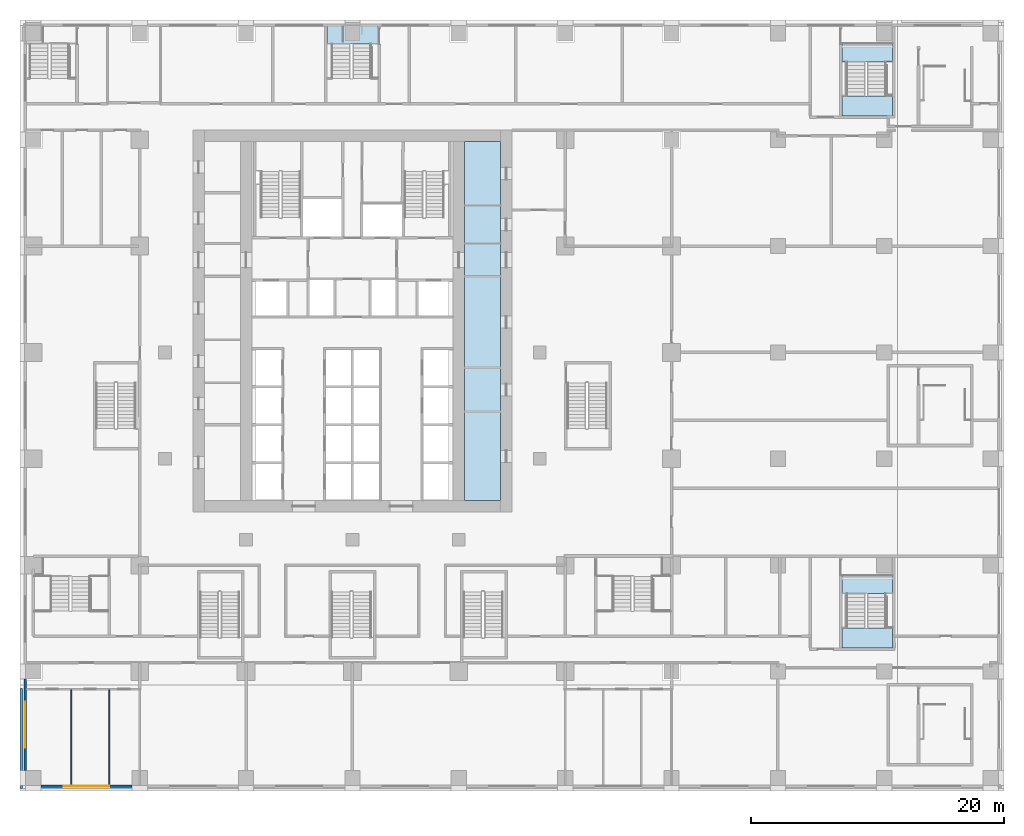
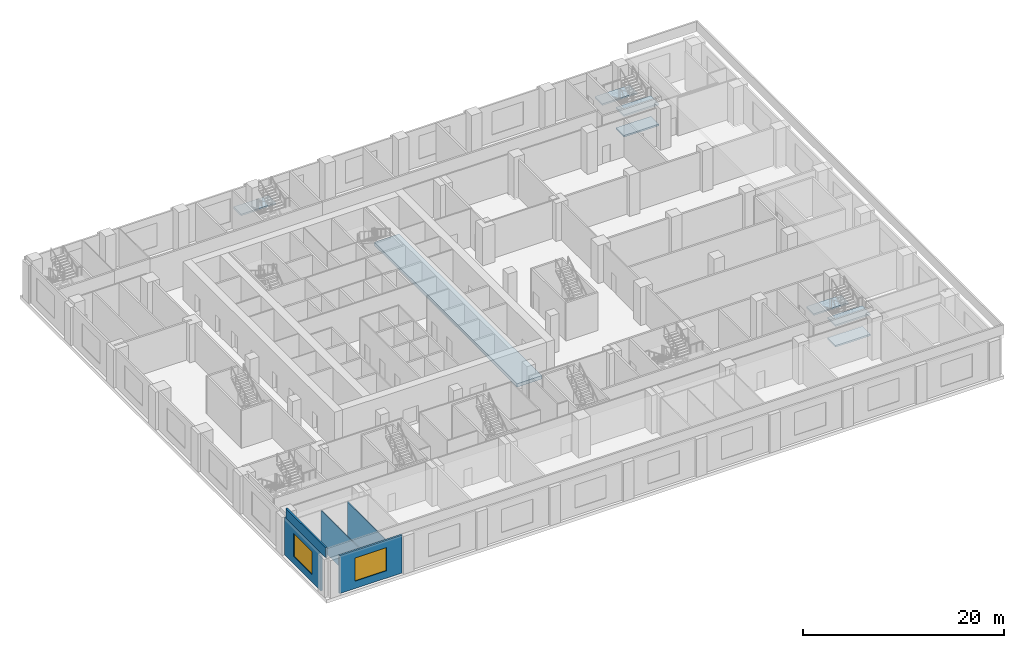
# One storey, part 3 of 23: 8 slabs, 5 walls, 2 windows, 2 openings, 3 elements without a shape of their own.
"""IFC4 building model written with IfcOpenShell, lengths in metres."""

from ifc_helpers import new_model, si_unit, direction, frame, frame_2d, origin, place, context, subcontext, project, spatial, polyline, rectangle, outline, extrude, material, layer, layer_set, type_object, element, fill, aggregate, save


model = new_model("IFC4")

# Units and contexts
model_context = context("Model", 3, precision=1e-05, world=origin(), true_north=direction((0.0, 1.0)))
body_context = subcontext(model_context, "Body", "Model", "MODEL_VIEW")
ifc_project = project(units=[si_unit("LENGTHUNIT", "METRE"), si_unit("AREAUNIT", "SQUARE_METRE"), si_unit("VOLUMEUNIT", "CUBIC_METRE"), si_unit("PLANEANGLEUNIT", "RADIAN"), si_unit("MASSUNIT", "GRAM", prefix="KILO")], contexts=[model_context])

# Site, building, storey
site_placement = place(None, origin())
site = spatial("IfcSite", under=ifc_project, at=site_placement, CompositionType="ELEMENT")
building_placement = place(site_placement, origin())
building = spatial("IfcBuilding", under=site, at=building_placement, Name="Vermilion Ogive Tower", CompositionType="ELEMENT")
storey_placement = place(building_placement, frame((0.0, 0.0, 20.0)))
storey = spatial("IfcBuildingStorey", under=building, at=storey_placement, Name="L03", CompositionType="ELEMENT", Elevation=20.0)

# Slab
ifc_material_1 = material(Name="Concrete B40", Category="concrete")
ifc_layer_1 = layer(ifc_material_1, 0.39990234375)
ifc_layer_set_1 = layer_set([ifc_layer_1], Name="Core floor slab 400 B40")
slab_type_1 = type_object("IfcSlabType", Name="Core floor slab 400 B40", PredefinedType="FLOOR", material=ifc_layer_set_1)
slab_1_placement = place(storey_placement, frame((0.0, 0.0, -0.39990234375)))
element("IfcSlab", 1, at=slab_1_placement, inside=storey, type_object=slab_type_1, Name="L03-CK-FS3", PredefinedType="FLOOR", context=body_context, shape_type="SweptSolid", body=[
    extrude(outline(polyline([(8.85400390625, 20.845947265625), (11.696044921875, 20.845947265625), (11.696044921875, -7.49609375), (8.85400390625, -7.49609375), (8.85400390625, 20.845947265625)])), origin(), (0.0, 0.0, 1.0), 0.39990234375),
])

# Stair, slabs
ifc_material_2 = material(Name="Concrete B40", Category="concrete")
stair_type = type_object("IfcStairType", Name="Exit stair 1500", PredefinedType="HALF_TURN_STAIR", material=ifc_material_2)
stair_1_placement = place(storey_placement, origin())
stair_1 = element("IfcStair", 2, at=stair_1_placement, inside=storey, type_object=stair_type, Name="L03 Exit Stair PS2", PredefinedType="HALF_TURN_STAIR")
ifc_material_3 = material(Name="Concrete B40", Category="concrete")
ifc_layer_2 = layer(ifc_material_3, 0.199951171875)
ifc_layer_set_2 = layer_set([ifc_layer_2], Name="Stair landing 200")
slab_type_2 = type_object("IfcSlabType", Name="Stair landing 200", PredefinedType="LANDING", material=ifc_layer_set_2)
slab_2_placement = place(storey_placement, frame((0.0, 0.0, 1.050048828125)))
slab_2 = element("IfcSlab", 3, at=slab_2_placement, type_object=slab_type_2, Name="PS2 landing 1", PredefinedType="LANDING", context=body_context, shape_type="SweptSolid", body=[
    extrude(outline(polyline([(42.64990234375, 24.449951171875), (42.14990234375, 24.449951171875), (42.14990234375, 24.451904296875), (40.64990234375, 24.451904296875), (40.64990234375, 24.449951171875), (40.5, 24.449951171875), (40.5, 24.451904296875), (39.0, 24.451904296875), (39.0, 24.449951171875), (38.650146484375, 24.449951171875), (38.650146484375, 22.875), (42.64990234375, 22.875), (42.64990234375, 24.449951171875)])), origin(), (0.0, 0.0, 1.0), 0.199951171875),
])
slab_3_placement = place(storey_placement, frame((0.0, 0.0, 2.300048828125)))
slab_3 = element("IfcSlab", 4, at=slab_3_placement, type_object=slab_type_2, Name="PS2 landing 2", PredefinedType="LANDING", context=body_context, shape_type="SweptSolid", body=[
    extrude(outline(polyline([(38.650146484375, 27.14990234375), (39.0, 27.14990234375), (39.0, 27.14794921875), (40.5, 27.14794921875), (40.5, 27.14990234375), (40.64990234375, 27.14990234375), (40.64990234375, 27.14794921875), (42.14990234375, 27.14794921875), (42.14990234375, 27.14990234375), (42.64990234375, 27.14990234375), (42.64990234375, 28.64990234375), (38.650146484375, 28.64990234375), (38.650146484375, 27.14990234375)])), origin(), (0.0, 0.0, 1.0), 0.199951171875),
])
slab_4_placement = place(storey_placement, frame((0.0, 0.0, 3.550048828125)))
slab_4 = element("IfcSlab", 5, at=slab_4_placement, type_object=slab_type_2, Name="PS2 landing 3", PredefinedType="LANDING", context=body_context, shape_type="SweptSolid", body=[
    extrude(outline(polyline([(42.64990234375, 24.449951171875), (42.14990234375, 24.449951171875), (42.14990234375, 24.451904296875), (40.64990234375, 24.451904296875), (40.64990234375, 24.449951171875), (40.5, 24.449951171875), (40.5, 24.451904296875), (39.0, 24.451904296875), (39.0, 24.449951171875), (38.650146484375, 24.449951171875), (38.650146484375, 22.875), (42.64990234375, 22.875), (42.64990234375, 24.449951171875)])), origin(), (0.0, 0.0, 1.0), 0.199951171875),
])
aggregate(stair_1, [slab_2, slab_3, slab_4])

# Stair, slab
stair_2_placement = place(storey_placement, origin())
stair_2 = element("IfcStair", 6, at=stair_2_placement, inside=storey, type_object=stair_type, Name="L03 Exit Stair PS5", PredefinedType="HALF_TURN_STAIR")
slab_5_placement = place(storey_placement, frame((0.0, 0.0, 2.300048828125)))
slab_5 = element("IfcSlab", 7, at=slab_5_placement, type_object=slab_type_2, Name="PS5 landing 2", PredefinedType="LANDING", context=body_context, shape_type="SweptSolid", body=[
    extrude(outline(polyline([(-2.0, 28.550048828125), (-1.64990234375, 28.550048828125), (-1.64990234375, 28.548095703125), (-0.14990234375, 28.548095703125), (-0.14990234375, 28.550048828125), (0.0, 28.550048828125), (0.0, 28.548095703125), (1.5, 28.548095703125), (1.5, 28.550048828125), (2.0, 28.550048828125), (2.0, 30.050048828125), (-2.0, 30.050048828125), (-2.0, 28.550048828125)])), origin(), (0.0, 0.0, 1.0), 0.199951171875),
])
aggregate(stair_2, [slab_5])

# Stair, slabs
stair_3_placement = place(storey_placement, origin())
stair_3 = element("IfcStair", 8, at=stair_3_placement, inside=storey, type_object=stair_type, Name="L03 Exit Stair PS6", PredefinedType="HALF_TURN_STAIR")
slab_6_placement = place(storey_placement, frame((0.0, 0.0, 1.050048828125)))
slab_6 = element("IfcSlab", 9, at=slab_6_placement, type_object=slab_type_2, Name="PS6 landing 1", PredefinedType="LANDING", context=body_context, shape_type="SweptSolid", body=[
    extrude(outline(polyline([(42.64990234375, -17.550048828125), (42.14990234375, -17.550048828125), (42.14990234375, -17.548095703125), (40.64990234375, -17.548095703125), (40.64990234375, -17.550048828125), (40.5, -17.550048828125), (40.5, -17.548095703125), (39.0, -17.548095703125), (39.0, -17.550048828125), (38.650146484375, -17.550048828125), (38.650146484375, -19.125), (42.64990234375, -19.125), (42.64990234375, -17.550048828125)])), origin(), (0.0, 0.0, 1.0), 0.199951171875),
])
slab_7_placement = place(storey_placement, frame((0.0, 0.0, 2.300048828125)))
slab_7 = element("IfcSlab", 10, at=slab_7_placement, type_object=slab_type_2, Name="PS6 landing 2", PredefinedType="LANDING", context=body_context, shape_type="SweptSolid", body=[
    extrude(outline(polyline([(38.650146484375, -14.85009765625), (39.0, -14.85009765625), (39.0, -14.85205078125), (40.5, -14.85205078125), (40.5, -14.85009765625), (40.64990234375, -14.85009765625), (40.64990234375, -14.85205078125), (42.14990234375, -14.85205078125), (42.14990234375, -14.85009765625), (42.64990234375, -14.85009765625), (42.64990234375, -13.35009765625), (38.650146484375, -13.35009765625), (38.650146484375, -14.85009765625)])), origin(), (0.0, 0.0, 1.0), 0.199951171875),
])
slab_8_placement = place(storey_placement, frame((0.0, 0.0, 3.550048828125)))
slab_8 = element("IfcSlab", 11, at=slab_8_placement, type_object=slab_type_2, Name="PS6 landing 3", PredefinedType="LANDING", context=body_context, shape_type="SweptSolid", body=[
    extrude(outline(polyline([(42.64990234375, -17.550048828125), (42.14990234375, -17.550048828125), (42.14990234375, -17.548095703125), (40.64990234375, -17.548095703125), (40.64990234375, -17.550048828125), (40.5, -17.550048828125), (40.5, -17.548095703125), (39.0, -17.548095703125), (39.0, -17.550048828125), (38.650146484375, -17.550048828125), (38.650146484375, -19.125), (42.64990234375, -19.125), (42.64990234375, -17.550048828125)])), origin(), (0.0, 0.0, 1.0), 0.199951171875),
])
aggregate(stair_3, [slab_6, slab_7, slab_8])

# Walls
ifc_material_4 = material(Name="Gypsum board partition on steel studs", Category="steel")
ifc_layer_3 = layer(ifc_material_4, 0.10009765625)
ifc_layer_set_3 = layer_set([ifc_layer_3], Name="Partition 100 bath")
wall_type_1 = type_object("IfcWallType", Name="Partition 100 bath", PredefinedType="PARTITIONING", material=ifc_layer_set_3)
for number, where, z_axis, x_axis, name in (
    (12, (-22.199951171875, -29.949951171875, 0.0), (0.0, 0.0, 1.0), (0.0, 1.0, 0.0), "L03-FS-W-W044"),
    (13, (-19.199951171875, -29.949951171875, 0.0), (0.0, 0.0, 1.0), (0.0, 1.0, 0.0), "L03-FS-W-W048"),
):
    element("IfcWall", number, at=place(storey_placement, frame(where, z_axis=z_axis, x_axis=x_axis)), inside=storey, type_object=wall_type_1, Name=name, PredefinedType="PARTITIONING", context=body_context, shape_type="SweptSolid", body=[
        extrude(rectangle(XDim=7.5, YDim=0.10009765625, at=frame_2d((3.75, 0.0))), origin(), (0.0, 0.0, 1.0), 4.60009765625),
    ])
ifc_material_5 = material(Name="Concrete B45", Category="concrete")
ifc_layer_4 = layer(ifc_material_5, 0.199951171875)
ifc_layer_set_4 = layer_set([ifc_layer_4], Name="Terrace parapet RC Concrete B45")
wall_type_2 = type_object("IfcWallType", Name="Terrace parapet RC Concrete B45", PredefinedType="PARAPET", material=ifc_layer_set_4)
wall_1_placement = place(storey_placement, frame((-26.14990234375, -30.25, 5.0), z_axis=(0.0, 0.0, 1.0), x_axis=(0.0, 1.0, 0.0)))
element("IfcWall", 14, at=wall_1_placement, inside=storey, type_object=wall_type_2, Name="L03 terrace parapet 2", PredefinedType="PARAPET", context=body_context, shape_type="SweptSolid", body=[
    extrude(rectangle(XDim=7.89990234375, YDim=0.199951171875, at=frame_2d((3.949951171875, 0.0))), origin(), (0.0, 0.0, 1.0), 1.199951171875),
])

# Wall, opening, window
ifc_material_6 = material(Name="Aluminium window wall framing", Category="aluminium")
ifc_layer_5 = layer(ifc_material_6, 0.199951171875)
ifc_layer_set_5 = layer_set([ifc_layer_5], Name="Window wall")
wall_type_3 = type_object("IfcWallType", Name="Window wall", PredefinedType="STANDARD", material=ifc_layer_set_5)
wall_2_placement = place(storey_placement, frame((-24.60009765625, -30.050048828125, 0.0), z_axis=(0.0, 0.0, 1.0), x_axis=(1.0, 0.0, 0.0)))
wall_2 = element("IfcWall", 15, at=wall_2_placement, inside=storey, type_object=wall_type_3, Name="Window wall S1", PredefinedType="STANDARD", context=body_context, shape_type="SweptSolid", body=[
    extrude(rectangle(XDim=7.2001953125, YDim=0.199951171875, at=frame_2d((3.60009765625, 0.0))), origin(), (0.0, 0.0, 1.0), 4.60009765625),
])
opening_1_placement = place(wall_2_placement, frame((1.800048828125, 0.0, 0.89990234375)))
opening_1 = element("IfcOpeningElement", 16, at=opening_1_placement, cuts=wall_2, Name="Opening P-S1", PredefinedType="OPENING", context=body_context, shape_type="SweptSolid", body=[
    extrude(rectangle(XDim=3.60009765625, YDim=2.800048828125, at=frame_2d((1.800048828125, 1.39990234375))), frame((0.0, 0.10986328125, 0.0), z_axis=(0.0, -1.0, 0.0), x_axis=(1.0, 0.0, 0.0)), (0.0, 0.0, 1.0), 0.219970703125),
])
ifc_material_7 = material(Name="Aluminium framed double glazing", Category="aluminium")
window_type = type_object("IfcWindowType", Name="Podium window P 3600x2800 sill 900", PartitioningType="SINGLE_PANEL", PredefinedType="WINDOW", material=ifc_material_7)
window_1_placement = place(opening_1_placement, origin())
window_1 = element("IfcWindow", 17, at=window_1_placement, inside=storey, type_object=window_type, Name="Window S1", OverallHeight=2.800048828125, OverallWidth=3.60009765625, PartitioningType="SINGLE_PANEL", PredefinedType="WINDOW", context=body_context, shape_type="SweptSolid", body=[
    extrude(rectangle(XDim=3.60009765625, YDim=2.800048828125, at=frame_2d((1.800048828125, 1.39990234375))), frame((0.0, 0.030029296875, 0.0), z_axis=(0.0, -1.0, 0.0), x_axis=(1.0, 0.0, 0.0)), (0.0, 0.0, 1.0), 0.06005859375),
])
fill(opening_1, window_1)

wall_3_placement = place(storey_placement, frame((-25.85009765625, -21.60009765625, 0.0), z_axis=(0.0, 0.0, 1.0), x_axis=(0.0, -1.0, 0.0)))
wall_3 = element("IfcWall", 18, at=wall_3_placement, inside=storey, type_object=wall_type_3, Name="Window wall W7", PredefinedType="STANDARD", context=body_context, shape_type="SweptSolid", body=[
    extrude(rectangle(XDim=7.199951171875, YDim=0.199951171875, at=frame_2d((3.60009765625, 0.0))), origin(), (0.0, 0.0, 1.0), 4.60009765625),
])
opening_2_placement = place(wall_3_placement, frame((1.800048828125, 0.0, 0.89990234375)))
opening_2 = element("IfcOpeningElement", 19, at=opening_2_placement, cuts=wall_3, Name="Opening P-W7", PredefinedType="OPENING", context=body_context, shape_type="SweptSolid", body=[
    extrude(rectangle(XDim=3.60009765625, YDim=2.800048828125, at=frame_2d((1.800048828125, 1.39990234375))), frame((0.0, 0.10986328125, 0.0), z_axis=(0.0, -1.0, 0.0), x_axis=(1.0, 0.0, 0.0)), (0.0, 0.0, 1.0), 0.219970703125),
])
window_2_placement = place(opening_2_placement, origin())
window_2 = element("IfcWindow", 20, at=window_2_placement, inside=storey, type_object=window_type, Name="Window W7", OverallHeight=2.800048828125, OverallWidth=3.60009765625, PartitioningType="SINGLE_PANEL", PredefinedType="WINDOW", context=body_context, shape_type="SweptSolid", body=[
    extrude(rectangle(XDim=3.60009765625, YDim=2.800048828125, at=frame_2d((1.800048828125, 1.39990234375))), frame((0.0, 0.030029296875, 0.0), z_axis=(0.0, -1.0, 0.0), x_axis=(1.0, 0.0, 0.0)), (0.0, 0.0, 1.0), 0.06005859375),
])
fill(opening_2, window_2)

save(model, "model.ifc")
